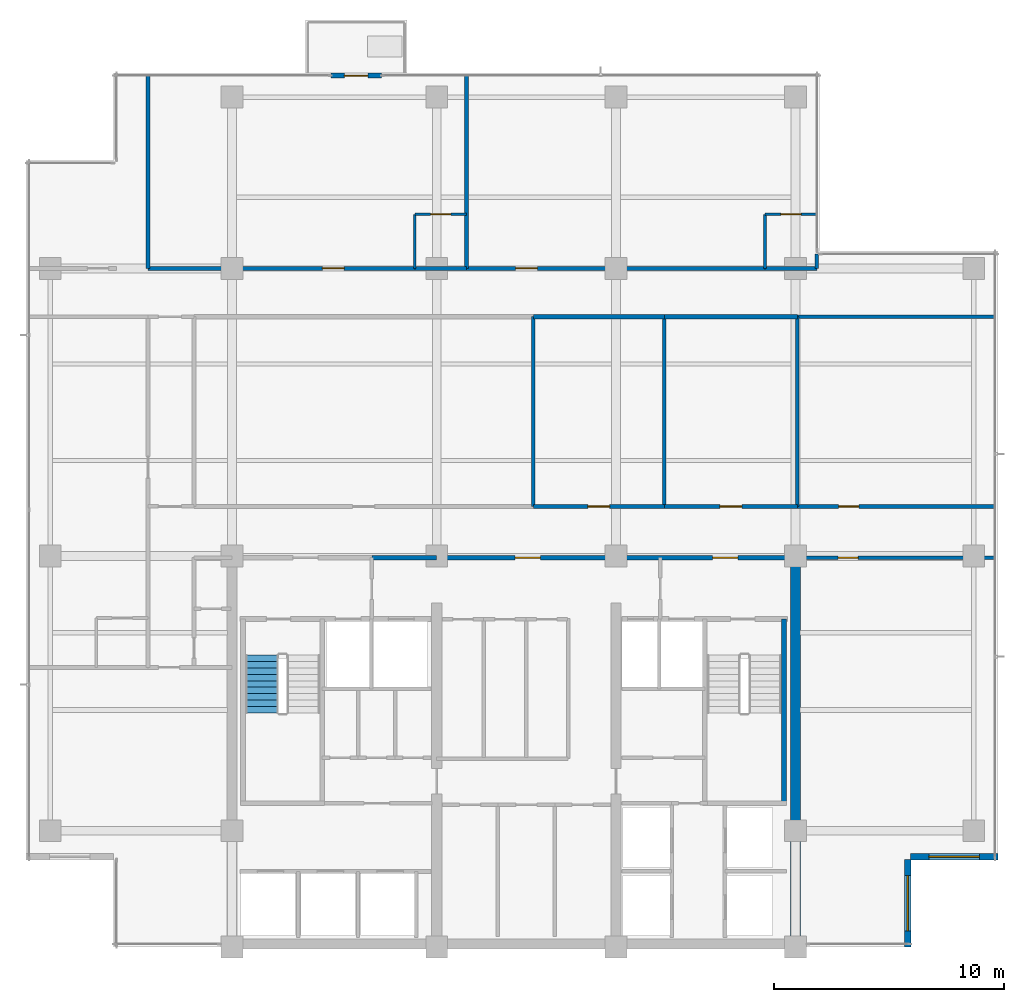
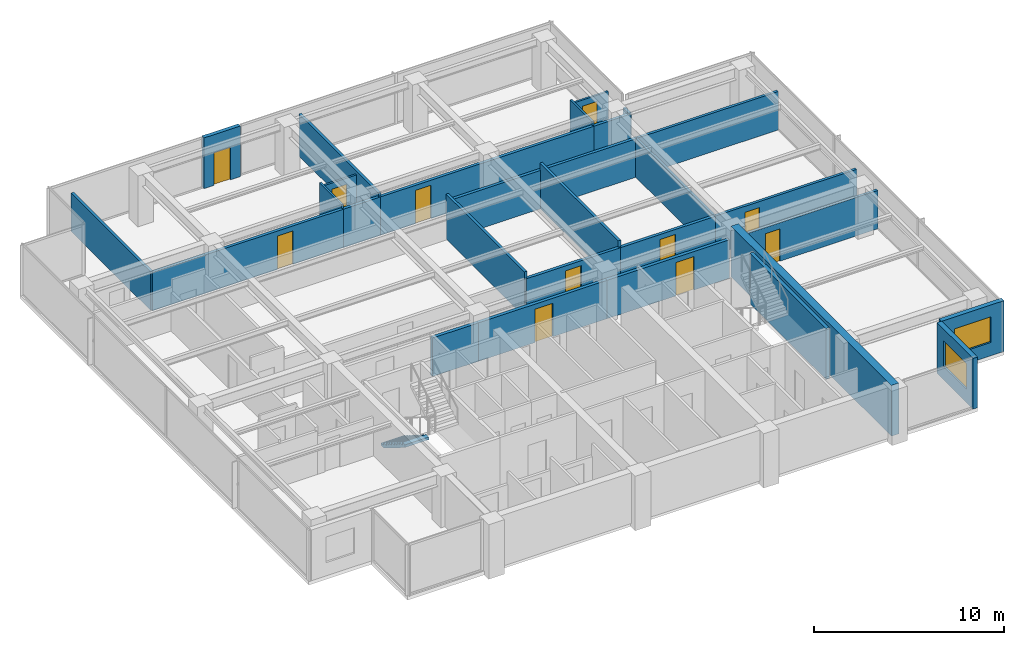
# One storey, part 9 of 14: 29 walls, 11 doors, 2 windows, 1 stair flight, 13 openings, 1 element without a shape of its own.
"""IFC4 building model written with IfcOpenShell, lengths in metres."""

from ifc_helpers import new_model, si_unit, direction, frame, frame_2d, origin, place, context, subcontext, project, spatial, polyline, rectangle, outline, extrude, material, layer, layer_set, type_object, element, fill, aggregate, save


model = new_model("IFC4")

# Units and contexts
model_context = context("Model", 3, precision=1e-05, world=origin(), true_north=direction((0.0, 1.0)))
body_context = subcontext(model_context, "Body", "Model", "MODEL_VIEW")
ifc_project = project(units=[si_unit("LENGTHUNIT", "METRE"), si_unit("AREAUNIT", "SQUARE_METRE"), si_unit("VOLUMEUNIT", "CUBIC_METRE"), si_unit("PLANEANGLEUNIT", "RADIAN"), si_unit("MASSUNIT", "GRAM", prefix="KILO")], contexts=[model_context])

# Site, building, storey
site_placement = place(None, origin())
site = spatial("IfcSite", under=ifc_project, at=site_placement, CompositionType="ELEMENT")
building_placement = place(site_placement, origin())
building = spatial("IfcBuilding", under=site, at=building_placement, Name="Qalmaran Belvedere Hotel", CompositionType="ELEMENT")
storey_placement = place(building_placement, frame((0.0, 0.0, 224.89990234375)))
storey = spatial("IfcBuildingStorey", under=building, at=storey_placement, Name="L57", CompositionType="ELEMENT", Elevation=224.89990234375)

# Wall, opening, door
ifc_material_1 = material(Name="Anodised Bronze Cladding")
ifc_layer_1 = layer(ifc_material_1, 0.22509765625, Name="Anodised Bronze Cladding")
ifc_layer_set_1 = layer_set([ifc_layer_1], Name="Anodised Bronze Cladding")
wall_type_1 = type_object("IfcWallType", Name="WL-BAL-PORT-225", PredefinedType="SOLIDWALL", material=ifc_layer_set_1)
wall_1_placement = place(storey_placement, frame((24.60009765625, 41.3798828125, 0.0), z_axis=(0.0, 0.0, 1.0), x_axis=(1.0, 0.0, 0.0)))
wall_1 = element("IfcWall", 1, at=wall_1_placement, inside=storey, type_object=wall_type_1, Name="L57 Tree Balcony Door Portal", PredefinedType="SOLIDWALL", context=body_context, shape_type="SweptSolid", body=[
    extrude(rectangle(XDim=2.199951171875, YDim=0.22509765625, at=frame_2d((1.10009765625, 0.0))), origin(), (0.0, 0.0, 1.0), 3.260009765625),
])
opening_1_placement = place(wall_1_placement, frame((0.590087890625, 0.0, 0.0)))
opening_1 = element("IfcOpeningElement", 2, at=opening_1_placement, cuts=wall_1, Name="Opening BL-102", PredefinedType="OPENING", context=body_context, shape_type="SweptSolid", body=[
    extrude(rectangle(XDim=1.02001953125, YDim=2.10009765625, at=frame_2d((0.510009765625, 1.050048828125))), frame((0.0, 0.12255859375, 0.0), z_axis=(0.0, -1.0, 0.0), x_axis=(1.0, 0.0, 0.0)), (0.0, 0.0, 1.0), 0.2451171875),
])
ifc_material_2 = material(Name="Anodised Bronze Aluminium", Category="aluminium")
door_type_1 = type_object("IfcDoorType", Name="DR-BAL-1020X2100", OperationType="NOTDEFINED", PredefinedType="DOOR", material=ifc_material_2)
door_1_placement = place(opening_1_placement, origin())
door_1 = element("IfcDoor", 3, at=door_1_placement, inside=storey, type_object=door_type_1, Name="L57 Planted Tree Balcony Door", OperationType="SINGLE_SWING_RIGHT", OverallHeight=2.10009765625, OverallWidth=1.02001953125, PredefinedType="DOOR", context=body_context, shape_type="SweptSolid", body=[
    extrude(rectangle(XDim=1.02001953125, YDim=2.10009765625, at=frame_2d((0.510009765625, 1.050048828125))), frame((0.0, 0.02490234375, 0.0), z_axis=(0.0, -1.0, 0.0), x_axis=(1.0, 0.0, 0.0)), (0.0, 0.0, 1.0), 0.050048828125),
])
fill(opening_1, door_1)

# Wall
ifc_material_3 = material(Name="Concrete C50/60", Category="concrete")
ifc_layer_2 = layer(ifc_material_3, 0.449951171875, Name="Concrete C50/60")
ifc_layer_set_2 = layer_set([ifc_layer_2], Name="Concrete C50/60")
wall_type_2 = type_object("IfcWallType", Name="WL-CORE-450-C50", PredefinedType="SHEAR", material=ifc_layer_set_2)
wall_2_placement = place(storey_placement, frame((44.800048828125, 3.5, 0.0), z_axis=(0.0, 0.0, 1.0), x_axis=(0.0, 1.0, 0.0)))
element("IfcWall", 4, at=wall_2_placement, inside=storey, type_object=wall_type_2, Name="L57 East Core Shear Wall", PredefinedType="SHEAR", context=body_context, shape_type="SweptSolid", body=[
    extrude(rectangle(XDim=16.89990234375, YDim=0.449951171875, at=frame_2d((8.449951171875, 0.0))), origin(), (0.0, 0.0, 1.0), 3.260009765625),
])

# Wall, opening, window
ifc_layer_3 = layer(ifc_material_1, 0.280029296875, Name="Anodised Bronze Cladding")
ifc_layer_set_3 = layer_set([ifc_layer_3], Name="Anodised Bronze Cladding")
wall_type_3 = type_object("IfcWallType", Name="WL-EXT-BRNZ-280", PredefinedType="SOLIDWALL", material=ifc_layer_set_3)
wall_3_placement = place(storey_placement, frame((49.679931640625, 3.5, 0.0), z_axis=(0.0, 0.0, 1.0), x_axis=(0.0, 1.0, 0.0)))
wall_3 = element("IfcWall", 5, at=wall_3_placement, inside=storey, type_object=wall_type_3, Name="L57 Corner Notch Wall 1", PredefinedType="SOLIDWALL", context=body_context, shape_type="SweptSolid", body=[
    extrude(rectangle(XDim=3.800048828125, YDim=0.280029296875, at=frame_2d((1.89990234375, 0.0))), origin(), (0.0, 0.0, 1.0), 3.260009765625),
])
opening_2_placement = place(wall_3_placement, frame((0.699951171875, 0.0, 0.85009765625)))
opening_2 = element("IfcOpeningElement", 6, at=opening_2_placement, cuts=wall_3, Name="Opening W-N24", PredefinedType="OPENING", context=body_context, shape_type="SweptSolid", body=[
    extrude(rectangle(XDim=2.39990234375, YDim=1.64990234375, at=frame_2d((1.199951171875, 0.824951171875))), frame((0.0, 0.14990234375, 0.0), z_axis=(0.0, -1.0, 0.0), x_axis=(1.0, 0.0, 0.0)), (0.0, 0.0, 1.0), 0.300048828125),
])
ifc_material_4 = material(Name="Solar-Control Double Glazing", Category="glass")
window_type_1 = type_object("IfcWindowType", Name="WN-NTC-2400X1650", PartitioningType="SINGLE_PANEL", PredefinedType="WINDOW", material=ifc_material_4)
window_1_placement = place(opening_2_placement, origin())
window_1 = element("IfcWindow", 7, at=window_1_placement, inside=storey, type_object=window_type_1, Name="L57 Corner Notch Window 1", OverallHeight=1.64990234375, OverallWidth=2.39990234375, PartitioningType="SINGLE_PANEL", PredefinedType="WINDOW", context=body_context, shape_type="SweptSolid", body=[
    extrude(rectangle(XDim=2.39990234375, YDim=1.64990234375, at=frame_2d((1.199951171875, 0.824951171875))), frame((0.0, 0.030029296875, 0.0), z_axis=(0.0, -1.0, 0.0), x_axis=(1.0, 0.0, 0.0)), (0.0, 0.0, 1.0), 0.06005859375),
])
fill(opening_2, window_1)

wall_4_placement = place(storey_placement, frame((49.800048828125, 7.419921875, 0.0), z_axis=(0.0, 0.0, 1.0), x_axis=(1.0, 0.0, 0.0)))
wall_4 = element("IfcWall", 8, at=wall_4_placement, inside=storey, type_object=wall_type_3, Name="L57 Corner Notch Wall 2", PredefinedType="SOLIDWALL", context=body_context, shape_type="SweptSolid", body=[
    extrude(rectangle(XDim=3.800048828125, YDim=0.280029296875, at=frame_2d((1.89990234375, 0.0))), origin(), (0.0, 0.0, 1.0), 3.260009765625),
])
opening_3_placement = place(wall_4_placement, frame((0.800048828125, 0.0, 0.85009765625)))
opening_3 = element("IfcOpeningElement", 9, at=opening_3_placement, cuts=wall_4, Name="Opening W-N22", PredefinedType="OPENING", context=body_context, shape_type="SweptSolid", body=[
    extrude(rectangle(XDim=2.199951171875, YDim=1.64990234375, at=frame_2d((1.10009765625, 0.824951171875))), frame((0.0, 0.14990234375, 0.0), z_axis=(0.0, -1.0, 0.0), x_axis=(1.0, 0.0, 0.0)), (0.0, 0.0, 1.0), 0.300048828125),
])
window_type_2 = type_object("IfcWindowType", Name="WN-NTC-2200X1650", PartitioningType="SINGLE_PANEL", PredefinedType="WINDOW", material=ifc_material_4)
window_2_placement = place(opening_3_placement, origin())
window_2 = element("IfcWindow", 10, at=window_2_placement, inside=storey, type_object=window_type_2, Name="L57 Corner Notch Window 2", OverallHeight=1.64990234375, OverallWidth=2.199951171875, PartitioningType="SINGLE_PANEL", PredefinedType="WINDOW", context=body_context, shape_type="SweptSolid", body=[
    extrude(rectangle(XDim=2.199951171875, YDim=1.64990234375, at=frame_2d((1.10009765625, 0.824951171875))), frame((0.0, 0.030029296875, 0.0), z_axis=(0.0, -1.0, 0.0), x_axis=(1.0, 0.0, 0.0)), (0.0, 0.0, 1.0), 0.06005859375),
])
fill(opening_3, window_2)

# Wall, opening, door
ifc_material_5 = material(Name="Moisture-Resistant Gypsum")
ifc_layer_4 = layer(ifc_material_5, 0.1201171875, Name="Moisture-Resistant Gypsum")
ifc_layer_set_4 = layer_set([ifc_layer_4], Name="Moisture-Resistant Gypsum")
wall_type_4 = type_object("IfcWallType", Name="WL-INT-120-BATH", PredefinedType="PARTITIONING", material=ifc_layer_set_4)
wall_5_placement = place(storey_placement, frame((28.25, 35.35009765625, 0.0), z_axis=(0.0, 0.0, 1.0), x_axis=(1.0, 0.0, 0.0)))
wall_5 = element("IfcWall", 11, at=wall_5_placement, inside=storey, type_object=wall_type_4, Name="L57 Partition WL-L57-NBN00", PredefinedType="PARTITIONING", context=body_context, shape_type="SweptSolid", body=[
    extrude(rectangle(XDim=2.25, YDim=0.1201171875, at=frame_2d((1.125, 0.0))), origin(), (0.0, 0.0, 1.0), 2.47216796875),
])
opening_4_placement = place(wall_5_placement, frame((1.56494140625, 0.0, 0.0), z_axis=(0.0, 0.0, 1.0), x_axis=(-1.0, 0.0, 0.0)))
opening_4 = element("IfcOpeningElement", 12, at=opening_4_placement, cuts=wall_5, Name="Opening D-BATH", PredefinedType="OPENING", context=body_context, shape_type="SweptSolid", body=[
    extrude(rectangle(XDim=0.8798828125, YDim=2.080078125, at=frame_2d((0.43994140625, 1.0400390625))), frame((0.0, 0.070068359375, 0.0), z_axis=(0.0, -1.0, 0.0), x_axis=(1.0, 0.0, 0.0)), (0.0, 0.0, 1.0), 0.14013671875),
])
ifc_material_6 = material(Name="Engineered Oak Veneer")
door_type_2 = type_object("IfcDoorType", Name="DR-INT-BATH-880X2080", OperationType="NOTDEFINED", PredefinedType="DOOR", material=ifc_material_6)
door_2_placement = place(opening_4_placement, origin())
door_2 = element("IfcDoor", 13, at=door_2_placement, inside=storey, type_object=door_type_2, Name="L57 Ensuite Bathroom Door N01", OperationType="SINGLE_SWING_LEFT", OverallHeight=2.080078125, OverallWidth=0.8798828125, PredefinedType="DOOR", context=body_context, shape_type="SweptSolid", body=[
    extrude(rectangle(XDim=0.8798828125, YDim=2.080078125, at=frame_2d((0.43994140625, 1.0400390625))), frame((0.0, 0.02490234375, 0.0), z_axis=(0.0, -1.0, 0.0), x_axis=(1.0, 0.0, 0.0)), (0.0, 0.0, 1.0), 0.050048828125),
])
fill(opening_4, door_2)

# Wall
wall_6_placement = place(storey_placement, frame((28.25, 33.0, 0.0), z_axis=(0.0, 0.0, 1.0), x_axis=(0.0, 1.0, 0.0)))
element("IfcWall", 14, at=wall_6_placement, inside=storey, type_object=wall_type_4, Name="L57 Partition WL-L57-NBS00", PredefinedType="PARTITIONING", context=body_context, shape_type="SweptSolid", body=[
    extrude(rectangle(XDim=2.35009765625, YDim=0.1201171875, at=frame_2d((1.175048828125, 0.0))), origin(), (0.0, 0.0, 1.0), 2.7060546875),
])

# Wall, opening, door
wall_7_placement = place(storey_placement, frame((43.47998046875, 35.35009765625, 0.0), z_axis=(0.0, 0.0, 1.0), x_axis=(1.0, 0.0, 0.0)))
wall_7 = element("IfcWall", 15, at=wall_7_placement, inside=storey, type_object=wall_type_4, Name="L57 Partition WL-L57-NBN01", PredefinedType="PARTITIONING", context=body_context, shape_type="SweptSolid", body=[
    extrude(rectangle(XDim=2.25, YDim=0.1201171875, at=frame_2d((1.125, 0.0))), origin(), (0.0, 0.0, 1.0), 2.47216796875),
])
opening_5_placement = place(wall_7_placement, frame((1.56494140625, 0.0, 0.0), z_axis=(0.0, 0.0, 1.0), x_axis=(-1.0, 0.0, 0.0)))
opening_5 = element("IfcOpeningElement", 16, at=opening_5_placement, cuts=wall_7, Name="Opening D-BATH", PredefinedType="OPENING", context=body_context, shape_type="SweptSolid", body=[
    extrude(rectangle(XDim=0.8798828125, YDim=2.080078125, at=frame_2d((0.43994140625, 1.0400390625))), frame((0.0, 0.070068359375, 0.0), z_axis=(0.0, -1.0, 0.0), x_axis=(1.0, 0.0, 0.0)), (0.0, 0.0, 1.0), 0.14013671875),
])
door_3_placement = place(opening_5_placement, origin())
door_3 = element("IfcDoor", 17, at=door_3_placement, inside=storey, type_object=door_type_2, Name="L57 Ensuite Bathroom Door N02", OperationType="SINGLE_SWING_LEFT", OverallHeight=2.080078125, OverallWidth=0.8798828125, PredefinedType="DOOR", context=body_context, shape_type="SweptSolid", body=[
    extrude(rectangle(XDim=0.8798828125, YDim=2.080078125, at=frame_2d((0.43994140625, 1.0400390625))), frame((0.0, 0.02490234375, 0.0), z_axis=(0.0, -1.0, 0.0), x_axis=(1.0, 0.0, 0.0)), (0.0, 0.0, 1.0), 0.050048828125),
])
fill(opening_5, door_3)

# Wall
wall_8_placement = place(storey_placement, frame((43.47998046875, 33.0, 0.0), z_axis=(0.0, 0.0, 1.0), x_axis=(0.0, 1.0, 0.0)))
element("IfcWall", 18, at=wall_8_placement, inside=storey, type_object=wall_type_4, Name="L57 Partition WL-L57-NBS01", PredefinedType="PARTITIONING", context=body_context, shape_type="SweptSolid", body=[
    extrude(rectangle(XDim=2.35009765625, YDim=0.1201171875, at=frame_2d((1.175048828125, 0.0))), origin(), (0.0, 0.0, 1.0), 2.7060546875),
])

# Wall, opening, door
ifc_material_7 = material(Name="Gypsum Stud Partition")
ifc_layer_5 = layer(ifc_material_7, 0.159912109375, Name="Gypsum Stud Partition")
ifc_layer_set_5 = layer_set([ifc_layer_5], Name="Gypsum Stud Partition")
wall_type_5 = type_object("IfcWallType", Name="WL-INT-160-EI60", PredefinedType="PARTITIONING", material=ifc_layer_set_5)
wall_9_placement = place(storey_placement, frame((44.800048828125, 20.419921875, 0.0), z_axis=(0.0, 0.0, 1.0), x_axis=(1.0, 0.0, 0.0)))
wall_9 = element("IfcWall", 19, at=wall_9_placement, inside=storey, type_object=wall_type_5, Name="L57 Partition WL-L57-ECE1S", PredefinedType="PARTITIONING", context=body_context, shape_type="SweptSolid", body=[
    extrude(rectangle(XDim=8.679931640625, YDim=0.159912109375, at=frame_2d((4.33984375, 0.0))), origin(), (0.0, 0.0, 1.0), 2.47216796875),
])
opening_6_placement = place(wall_9_placement, frame((2.72998046875, 0.0, 0.0), z_axis=(0.0, 0.0, 1.0), x_axis=(-1.0, 0.0, 0.0)))
opening_6 = element("IfcOpeningElement", 20, at=opening_6_placement, cuts=wall_9, Name="Opening FD60B", PredefinedType="OPENING", context=body_context, shape_type="SweptSolid", body=[
    extrude(rectangle(XDim=0.8798828125, YDim=2.080078125, at=frame_2d((0.43994140625, 1.0400390625))), frame((0.0, 0.08984375, 0.0), z_axis=(0.0, -1.0, 0.0), x_axis=(1.0, 0.0, 0.0)), (0.0, 0.0, 1.0), 0.179931640625),
])
ifc_material_8 = material(Name="Steel S355JR", Category="steel")
door_type_3 = type_object("IfcDoorType", Name="DR-FD60B-880X2080", OperationType="NOTDEFINED", PredefinedType="DOOR", material=ifc_material_8)
door_4_placement = place(opening_6_placement, origin())
door_4 = element("IfcDoor", 21, at=door_4_placement, inside=storey, type_object=door_type_3, Name="L57 East Library Door", OperationType="SINGLE_SWING_RIGHT", OverallHeight=2.080078125, OverallWidth=0.8798828125, PredefinedType="DOOR", context=body_context, shape_type="SweptSolid", body=[
    extrude(rectangle(XDim=0.8798828125, YDim=2.080078125, at=frame_2d((0.43994140625, 1.0400390625))), frame((0.0, 0.02490234375, 0.0), z_axis=(0.0, -1.0, 0.0), x_axis=(1.0, 0.0, 0.0)), (0.0, 0.0, 1.0), 0.050048828125),
])
fill(opening_6, door_4)

wall_10_placement = place(storey_placement, frame((44.8798828125, 22.64990234375, 0.0), z_axis=(0.0, 0.0, 1.0), x_axis=(1.0, 0.0, 0.0)))
wall_10 = element("IfcWall", 22, at=wall_10_placement, inside=storey, type_object=wall_type_5, Name="L57 Partition WL-L57-ECE2N", PredefinedType="PARTITIONING", context=body_context, shape_type="SweptSolid", body=[
    extrude(rectangle(XDim=8.60009765625, YDim=0.159912109375, at=frame_2d((4.300048828125, 0.0))), origin(), (0.0, 0.0, 1.0), 2.47216796875),
])
opening_7_placement = place(wall_10_placement, frame((1.800048828125, 0.0, 0.0)))
opening_7 = element("IfcOpeningElement", 23, at=opening_7_placement, cuts=wall_10, Name="Opening FD60B", PredefinedType="OPENING", context=body_context, shape_type="SweptSolid", body=[
    extrude(rectangle(XDim=0.8798828125, YDim=2.080078125, at=frame_2d((0.43994140625, 1.0400390625))), frame((0.0, 0.08984375, 0.0), z_axis=(0.0, -1.0, 0.0), x_axis=(1.0, 0.0, 0.0)), (0.0, 0.0, 1.0), 0.179931640625),
])
door_5_placement = place(opening_7_placement, origin())
door_5 = element("IfcDoor", 24, at=door_5_placement, inside=storey, type_object=door_type_3, Name="L57 East Fitness Door", OperationType="SINGLE_SWING_LEFT", OverallHeight=2.080078125, OverallWidth=0.8798828125, PredefinedType="DOOR", context=body_context, shape_type="SweptSolid", body=[
    extrude(rectangle(XDim=0.8798828125, YDim=2.080078125, at=frame_2d((0.43994140625, 1.0400390625))), frame((0.0, 0.02490234375, 0.0), z_axis=(0.0, -1.0, 0.0), x_axis=(1.0, 0.0, 0.0)), (0.0, 0.0, 1.0), 0.050048828125),
])
fill(opening_7, door_5)

# Walls
wall_11_placement = place(storey_placement, frame((44.8798828125, 30.89990234375, 0.0), z_axis=(0.0, 0.0, 1.0), x_axis=(1.0, 0.0, 0.0)))
element("IfcWall", 25, at=wall_11_placement, inside=storey, type_object=wall_type_5, Name="L57 Partition WL-L57-ECEN", PredefinedType="PARTITIONING", context=body_context, shape_type="SweptSolid", body=[
    extrude(rectangle(XDim=8.60009765625, YDim=0.159912109375, at=frame_2d((4.300048828125, 0.0))), origin(), (0.0, 0.0, 1.0), 2.47216796875),
])
for number, where, z_axis, x_axis, name in (
    (26, (33.39990234375, 22.64990234375, 0.0), (0.0, 0.0, 1.0), (0.0, 1.0, 0.0), "L57 Partition WL-L57-MIDVR1"),
    (27, (39.10009765625, 22.64990234375, 0.0), (0.0, 0.0, 1.0), (0.0, 1.0, 0.0), "L57 Partition WL-L57-MIDVR2"),
):
    element("IfcWall", number, at=place(storey_placement, frame(where, z_axis=z_axis, x_axis=x_axis)), inside=storey, type_object=wall_type_5, Name=name, PredefinedType="PARTITIONING", context=body_context, shape_type="SweptSolid", body=[
        extrude(rectangle(XDim=8.25, YDim=0.159912109375, at=frame_2d((4.125, 0.0))), origin(), (0.0, 0.0, 1.0), 2.88720703125),
    ])
wall_12_placement = place(storey_placement, frame((44.8798828125, 22.64990234375, 0.0), z_axis=(0.0, 0.0, 1.0), x_axis=(0.0, 1.0, 0.0)))
element("IfcWall", 28, at=wall_12_placement, inside=storey, type_object=wall_type_5, Name="L57 Partition WL-L57-MIDVR3", PredefinedType="PARTITIONING", context=body_context, shape_type="SweptSolid", body=[
    extrude(rectangle(XDim=8.25, YDim=0.159912109375, at=frame_2d((4.125, 0.0))), origin(), (0.0, 0.0, 1.0), 2.47216796875),
])
wall_13_placement = place(storey_placement, frame((16.64990234375, 33.0, 0.0), z_axis=(0.0, 0.0, 1.0), x_axis=(0.0, 1.0, 0.0)))
element("IfcWall", 29, at=wall_13_placement, inside=storey, type_object=wall_type_5, Name="L57 Partition WL-L57-NUL", PredefinedType="PARTITIONING", context=body_context, shape_type="SweptSolid", body=[
    extrude(rectangle(XDim=8.3798828125, YDim=0.159912109375, at=frame_2d((4.18994140625, 0.0))), origin(), (0.0, 0.0, 1.0), 2.47216796875),
])
wall_14_placement = place(storey_placement, frame((30.5, 33.0, 0.0), z_axis=(0.0, 0.0, 1.0), x_axis=(0.0, 1.0, 0.0)))
element("IfcWall", 30, at=wall_14_placement, inside=storey, type_object=wall_type_5, Name="L57 Partition WL-L57-NUR00", PredefinedType="PARTITIONING", context=body_context, shape_type="SweptSolid", body=[
    extrude(rectangle(XDim=8.3798828125, YDim=0.159912109375, at=frame_2d((4.18994140625, 0.0))), origin(), (0.0, 0.0, 1.0), 2.7060546875),
])
wall_15_placement = place(storey_placement, frame((45.72998046875, 33.0, 0.0), z_axis=(0.0, 0.0, 1.0), x_axis=(0.0, 1.0, 0.0)))
element("IfcWall", 31, at=wall_15_placement, inside=storey, type_object=wall_type_5, Name="L57 Partition WL-L57-NUR01", PredefinedType="PARTITIONING", context=body_context, shape_type="SweptSolid", body=[
    extrude(rectangle(XDim=0.6298828125, YDim=0.159912109375, at=frame_2d((0.31494140625, 0.0))), origin(), (0.0, 0.0, 1.0), 2.47216796875),
])

# Wall, opening, door
ifc_layer_6 = layer(ifc_material_7, 0.179931640625, Name="Gypsum Stud Partition")
ifc_layer_set_6 = layer_set([ifc_layer_6], Name="Gypsum Stud Partition")
wall_type_6 = type_object("IfcWallType", Name="WL-INT-180-EI60", PredefinedType="PARTITIONING", material=ifc_layer_set_6)
wall_16_placement = place(storey_placement, frame((33.39990234375, 22.64990234375, 0.0), z_axis=(0.0, 0.0, 1.0), x_axis=(1.0, 0.0, 0.0)))
wall_16 = element("IfcWall", 32, at=wall_16_placement, inside=storey, type_object=wall_type_6, Name="L57 Partition WL-L57-MIDD2", PredefinedType="PARTITIONING", context=body_context, shape_type="SweptSolid", body=[
    extrude(rectangle(XDim=5.7001953125, YDim=0.179931640625, at=frame_2d((2.85009765625, 0.0))), origin(), (0.0, 0.0, 1.0), 2.47216796875),
])
opening_8_placement = place(wall_16_placement, frame((2.375, 0.0, 0.0)))
opening_8 = element("IfcOpeningElement", 33, at=opening_8_placement, cuts=wall_16, Name="Opening FD60", PredefinedType="OPENING", context=body_context, shape_type="SweptSolid", body=[
    extrude(rectangle(XDim=0.949951171875, YDim=2.14990234375, at=frame_2d((0.47509765625, 1.074951171875))), frame((0.0, 0.10009765625, 0.0), z_axis=(0.0, -1.0, 0.0), x_axis=(1.0, 0.0, 0.0)), (0.0, 0.0, 1.0), 0.199951171875),
])
door_type_4 = type_object("IfcDoorType", Name="DR-FD60-950X2150", OperationType="NOTDEFINED", PredefinedType="DOOR", material=ifc_material_6)
door_6_placement = place(opening_8_placement, origin())
door_6 = element("IfcDoor", 34, at=door_6_placement, inside=storey, type_object=door_type_4, Name="L57 Drawing Lounge Door", OperationType="SINGLE_SWING_LEFT", OverallHeight=2.14990234375, OverallWidth=0.949951171875, PredefinedType="DOOR", context=body_context, shape_type="SweptSolid", body=[
    extrude(rectangle(XDim=0.949951171875, YDim=2.14990234375, at=frame_2d((0.47509765625, 1.074951171875))), frame((0.0, 0.02490234375, 0.0), z_axis=(0.0, -1.0, 0.0), x_axis=(1.0, 0.0, 0.0)), (0.0, 0.0, 1.0), 0.050048828125),
])
fill(opening_8, door_6)

# Wall
wall_17_placement = place(storey_placement, frame((33.39990234375, 30.89990234375, 0.0), z_axis=(0.0, 0.0, 1.0), x_axis=(1.0, 0.0, 0.0)))
element("IfcWall", 35, at=wall_17_placement, inside=storey, type_object=wall_type_6, Name="L57 Partition WL-L57-MIDO2", PredefinedType="PARTITIONING", context=body_context, shape_type="SweptSolid", body=[
    extrude(rectangle(XDim=5.7001953125, YDim=0.179931640625, at=frame_2d((2.85009765625, 0.0))), origin(), (0.0, 0.0, 1.0), 2.47216796875),
])

# Wall, opening, door
wall_18_placement = place(storey_placement, frame((39.10009765625, 22.64990234375, 0.0), z_axis=(0.0, 0.0, 1.0), x_axis=(1.0, 0.0, 0.0)))
wall_18 = element("IfcWall", 36, at=wall_18_placement, inside=storey, type_object=wall_type_6, Name="L57 Partition WL-L57-MIDD3", PredefinedType="PARTITIONING", context=body_context, shape_type="SweptSolid", body=[
    extrude(rectangle(XDim=5.77978515625, YDim=0.179931640625, at=frame_2d((2.889892578125, 0.0))), origin(), (0.0, 0.0, 1.0), 2.47216796875),
])
opening_9_placement = place(wall_18_placement, frame((2.4150390625, 0.0, 0.0)))
opening_9 = element("IfcOpeningElement", 37, at=opening_9_placement, cuts=wall_18, Name="Opening FD60", PredefinedType="OPENING", context=body_context, shape_type="SweptSolid", body=[
    extrude(rectangle(XDim=0.949951171875, YDim=2.14990234375, at=frame_2d((0.47509765625, 1.074951171875))), frame((0.0, 0.10009765625, 0.0), z_axis=(0.0, -1.0, 0.0), x_axis=(1.0, 0.0, 0.0)), (0.0, 0.0, 1.0), 0.199951171875),
])
door_7_placement = place(opening_9_placement, origin())
door_7 = element("IfcDoor", 38, at=door_7_placement, inside=storey, type_object=door_type_4, Name="L57 Sitting Lounge Door", OperationType="SINGLE_SWING_RIGHT", OverallHeight=2.14990234375, OverallWidth=0.949951171875, PredefinedType="DOOR", context=body_context, shape_type="SweptSolid", body=[
    extrude(rectangle(XDim=0.949951171875, YDim=2.14990234375, at=frame_2d((0.47509765625, 1.074951171875))), frame((0.0, 0.02490234375, 0.0), z_axis=(0.0, -1.0, 0.0), x_axis=(1.0, 0.0, 0.0)), (0.0, 0.0, 1.0), 0.050048828125),
])
fill(opening_9, door_7)

# Walls
wall_19_placement = place(storey_placement, frame((39.10009765625, 30.89990234375, 0.0), z_axis=(0.0, 0.0, 1.0), x_axis=(1.0, 0.0, 0.0)))
element("IfcWall", 39, at=wall_19_placement, inside=storey, type_object=wall_type_6, Name="L57 Partition WL-L57-MIDO3", PredefinedType="PARTITIONING", context=body_context, shape_type="SweptSolid", body=[
    extrude(rectangle(XDim=5.77978515625, YDim=0.179931640625, at=frame_2d((2.889892578125, 0.0))), origin(), (0.0, 0.0, 1.0), 2.47216796875),
])
wall_20_placement = place(storey_placement, frame((28.25, 33.0, 0.0), z_axis=(0.0, 0.0, 1.0), x_axis=(1.0, 0.0, 0.0)))
element("IfcWall", 40, at=wall_20_placement, inside=storey, type_object=wall_type_6, Name="L57 Partition WL-L57-NBC00", PredefinedType="PARTITIONING", context=body_context, shape_type="SweptSolid", body=[
    extrude(rectangle(XDim=2.25, YDim=0.179931640625, at=frame_2d((1.125, 0.0))), origin(), (0.0, 0.0, 1.0), 2.47216796875),
])

# Wall, opening, door
wall_21_placement = place(storey_placement, frame((16.64990234375, 33.0, 0.0), z_axis=(0.0, 0.0, 1.0), x_axis=(1.0, 0.0, 0.0)))
wall_21 = element("IfcWall", 41, at=wall_21_placement, inside=storey, type_object=wall_type_6, Name="L57 Partition WL-L57-NEC00", PredefinedType="PARTITIONING", context=body_context, shape_type="SweptSolid", body=[
    extrude(rectangle(XDim=11.60009765625, YDim=0.179931640625, at=frame_2d((5.800048828125, 0.0))), origin(), (0.0, 0.0, 1.0), 2.47216796875),
])
opening_10_placement = place(wall_21_placement, frame((7.580810546875, 0.0, 0.0)))
opening_10 = element("IfcOpeningElement", 42, at=opening_10_placement, cuts=wall_21, Name="Opening FD60", PredefinedType="OPENING", context=body_context, shape_type="SweptSolid", body=[
    extrude(rectangle(XDim=0.949951171875, YDim=2.14990234375, at=frame_2d((0.47509765625, 1.074951171875))), frame((0.0, 0.10009765625, 0.0), z_axis=(0.0, -1.0, 0.0), x_axis=(1.0, 0.0, 0.0)), (0.0, 0.0, 1.0), 0.199951171875),
])
door_8_placement = place(opening_10_placement, origin())
door_8 = element("IfcDoor", 43, at=door_8_placement, inside=storey, type_object=door_type_4, Name="L57 Guest Entrance Door N01", OperationType="SINGLE_SWING_RIGHT", OverallHeight=2.14990234375, OverallWidth=0.949951171875, PredefinedType="DOOR", context=body_context, shape_type="SweptSolid", body=[
    extrude(rectangle(XDim=0.949951171875, YDim=2.14990234375, at=frame_2d((0.47509765625, 1.074951171875))), frame((0.0, 0.02490234375, 0.0), z_axis=(0.0, -1.0, 0.0), x_axis=(1.0, 0.0, 0.0)), (0.0, 0.0, 1.0), 0.050048828125),
])
fill(opening_10, door_8)

# Wall
wall_22_placement = place(storey_placement, frame((43.47998046875, 33.0, 0.0), z_axis=(0.0, 0.0, 1.0), x_axis=(1.0, 0.0, 0.0)))
element("IfcWall", 44, at=wall_22_placement, inside=storey, type_object=wall_type_6, Name="L57 Partition WL-L57-NBC01", PredefinedType="PARTITIONING", context=body_context, shape_type="SweptSolid", body=[
    extrude(rectangle(XDim=2.25, YDim=0.179931640625, at=frame_2d((1.125, 0.0))), origin(), (0.0, 0.0, 1.0), 2.47216796875),
])

# Wall, opening, door
wall_23_placement = place(storey_placement, frame((30.5, 33.0, 0.0), z_axis=(0.0, 0.0, 1.0), x_axis=(1.0, 0.0, 0.0)))
wall_23 = element("IfcWall", 45, at=wall_23_placement, inside=storey, type_object=wall_type_6, Name="L57 Partition WL-L57-NEC01", PredefinedType="PARTITIONING", context=body_context, shape_type="SweptSolid", body=[
    extrude(rectangle(XDim=12.97998046875, YDim=0.179931640625, at=frame_2d((6.489990234375, 0.0))), origin(), (0.0, 0.0, 1.0), 2.47216796875),
])
opening_11_placement = place(wall_23_placement, frame((2.1318359375, 0.0, 0.0)))
opening_11 = element("IfcOpeningElement", 46, at=opening_11_placement, cuts=wall_23, Name="Opening FD60", PredefinedType="OPENING", context=body_context, shape_type="SweptSolid", body=[
    extrude(rectangle(XDim=0.949951171875, YDim=2.14990234375, at=frame_2d((0.47509765625, 1.074951171875))), frame((0.0, 0.10009765625, 0.0), z_axis=(0.0, -1.0, 0.0), x_axis=(1.0, 0.0, 0.0)), (0.0, 0.0, 1.0), 0.199951171875),
])
door_9_placement = place(opening_11_placement, origin())
door_9 = element("IfcDoor", 47, at=door_9_placement, inside=storey, type_object=door_type_4, Name="L57 Guest Entrance Door N02", OperationType="SINGLE_SWING_RIGHT", OverallHeight=2.14990234375, OverallWidth=0.949951171875, PredefinedType="DOOR", context=body_context, shape_type="SweptSolid", body=[
    extrude(rectangle(XDim=0.949951171875, YDim=2.14990234375, at=frame_2d((0.47509765625, 1.074951171875))), frame((0.0, 0.02490234375, 0.0), z_axis=(0.0, -1.0, 0.0), x_axis=(1.0, 0.0, 0.0)), (0.0, 0.0, 1.0), 0.050048828125),
])
fill(opening_11, door_9)

# Wall
ifc_material_9 = material(Name="Concrete C30/37 Blockwork", Category="masonry")
ifc_layer_7 = layer(ifc_material_9, 0.199951171875, Name="Concrete C30/37 Blockwork")
ifc_layer_set_7 = layer_set([ifc_layer_7], Name="Concrete C30/37 Blockwork")
wall_type_7 = type_object("IfcWallType", Name="WL-INT-200-EI120", PredefinedType="PARTITIONING", material=ifc_layer_set_7)
wall_24_placement = place(storey_placement, frame((26.3798828125, 20.419921875, 0.0), z_axis=(0.0, 0.0, 1.0), x_axis=(1.0, 0.0, 0.0)))
element("IfcWall", 48, at=wall_24_placement, inside=storey, type_object=wall_type_7, Name="L57 Partition WL-CN1B-L57", PredefinedType="PARTITIONING", context=body_context, shape_type="SweptSolid", body=[
    extrude(rectangle(XDim=2.820068359375, YDim=0.199951171875, at=frame_2d((1.41015625, 0.0))), origin(), (0.0, 0.0, 1.0), 2.47216796875),
])

# Wall, opening, door
wall_25_placement = place(storey_placement, frame((29.199951171875, 20.419921875, 0.0), z_axis=(0.0, 0.0, 1.0), x_axis=(1.0, 0.0, 0.0)))
wall_25 = element("IfcWall", 49, at=wall_25_placement, inside=storey, type_object=wall_type_7, Name="L57 Partition WL-CN2-L57", PredefinedType="PARTITIONING", context=body_context, shape_type="SweptSolid", body=[
    extrude(rectangle(XDim=7.800048828125, YDim=0.199951171875, at=frame_2d((3.89990234375, 0.0))), origin(), (0.0, 0.0, 1.0), 2.47216796875),
])
opening_12_placement = place(wall_25_placement, frame((3.4091796875, 0.0, 0.0)))
opening_12 = element("IfcOpeningElement", 50, at=opening_12_placement, cuts=wall_25, Name="Opening FD90", PredefinedType="OPENING", context=body_context, shape_type="SweptSolid", body=[
    extrude(rectangle(XDim=1.10009765625, YDim=2.14990234375, at=frame_2d((0.550048828125, 1.074951171875))), frame((0.0, 0.10986328125, 0.0), z_axis=(0.0, -1.0, 0.0), x_axis=(1.0, 0.0, 0.0)), (0.0, 0.0, 1.0), 0.219970703125),
])
door_type_5 = type_object("IfcDoorType", Name="DR-FD90-1100X2150", OperationType="NOTDEFINED", PredefinedType="DOOR", material=ifc_material_8)
door_10_placement = place(opening_12_placement, origin())
door_10 = element("IfcDoor", 51, at=door_10_placement, inside=storey, type_object=door_type_5, Name="L57 Central Lift Lobby Door", OperationType="SINGLE_SWING_RIGHT", OverallHeight=2.14990234375, OverallWidth=1.10009765625, PredefinedType="DOOR", context=body_context, shape_type="SweptSolid", body=[
    extrude(rectangle(XDim=1.10009765625, YDim=2.14990234375, at=frame_2d((0.550048828125, 1.074951171875))), frame((0.0, 0.02490234375, 0.0), z_axis=(0.0, -1.0, 0.0), x_axis=(1.0, 0.0, 0.0)), (0.0, 0.0, 1.0), 0.050048828125),
])
fill(opening_12, door_10)

wall_26_placement = place(storey_placement, frame((37.0, 20.419921875, 0.0), z_axis=(0.0, 0.0, 1.0), x_axis=(1.0, 0.0, 0.0)))
wall_26 = element("IfcWall", 52, at=wall_26_placement, inside=storey, type_object=wall_type_7, Name="L57 Partition WL-CN3-L57", PredefinedType="PARTITIONING", context=body_context, shape_type="SweptSolid", body=[
    extrude(rectangle(XDim=7.449951171875, YDim=0.199951171875, at=frame_2d((3.72509765625, 0.0))), origin(), (0.0, 0.0, 1.0), 2.47216796875),
])
opening_13_placement = place(wall_26_placement, frame((4.199951171875, 0.0, 0.0)))
opening_13 = element("IfcOpeningElement", 53, at=opening_13_placement, cuts=wall_26, Name="Opening FD90", PredefinedType="OPENING", context=body_context, shape_type="SweptSolid", body=[
    extrude(rectangle(XDim=1.10009765625, YDim=2.14990234375, at=frame_2d((0.550048828125, 1.074951171875))), frame((0.0, 0.10986328125, 0.0), z_axis=(0.0, -1.0, 0.0), x_axis=(1.0, 0.0, 0.0)), (0.0, 0.0, 1.0), 0.219970703125),
])
door_11_placement = place(opening_13_placement, origin())
door_11 = element("IfcDoor", 54, at=door_11_placement, inside=storey, type_object=door_type_5, Name="L57 FF2 Lobby Corridor Door", OperationType="SINGLE_SWING_LEFT", OverallHeight=2.14990234375, OverallWidth=1.10009765625, PredefinedType="DOOR", context=body_context, shape_type="SweptSolid", body=[
    extrude(rectangle(XDim=1.10009765625, YDim=2.14990234375, at=frame_2d((0.550048828125, 1.074951171875))), frame((0.0, 0.02490234375, 0.0), z_axis=(0.0, -1.0, 0.0), x_axis=(1.0, 0.0, 0.0)), (0.0, 0.0, 1.0), 0.050048828125),
])
fill(opening_13, door_11)

# Wall
ifc_layer_8 = layer(ifc_material_3, 0.2099609375, Name="Concrete C50/60")
ifc_layer_set_8 = layer_set([ifc_layer_8], Name="Concrete C50/60")
wall_type_8 = type_object("IfcWallType", Name="WL-STAIR-210-C50", PredefinedType="SHEAR", material=ifc_layer_set_8)
wall_27_placement = place(storey_placement, frame((44.304931640625, 9.7451171875, 0.0), z_axis=(0.0, 0.0, 1.0), x_axis=(0.0, 1.0, 0.0)))
element("IfcWall", 55, at=wall_27_placement, inside=storey, type_object=wall_type_8, Name="L57 Stair ST-2 East Bearing Wall", PredefinedType="SHEAR", context=body_context, shape_type="SweptSolid", body=[
    extrude(rectangle(XDim=8.009765625, YDim=0.2099609375, at=frame_2d((4.0048828125, 0.0))), origin(), (0.0, 0.0, 1.0), 3.260009765625),
])

# Stair, stair flight
ifc_material_10 = material(Name="Concrete C40/50", Category="concrete")
stair_type = type_object("IfcStairType", Name="STR-ST-1-1450-R1750", PredefinedType="HALF_TURN_STAIR", material=ifc_material_10)
stair_placement = place(storey_placement, origin())
stair = element("IfcStair", 56, at=stair_placement, inside=storey, type_object=stair_type, Name="L57 West Core Exit Stair ST-1", PredefinedType="HALF_TURN_STAIR")
ifc_layer_9 = layer(ifc_material_10, 0.14990234375, Name="Concrete C40/50")
ifc_layer_set_9 = layer_set([ifc_layer_9], Name="Concrete C40/50")
stair_flight_type = type_object("IfcStairFlightType", Name="STF-ST-1-1450-R1750", PredefinedType="STRAIGHT", material=ifc_layer_set_9)
stair_flight_placement = place(storey_placement, frame((21.60498046875, 16.18994140625, 0.0), z_axis=(0.0, 0.0, 1.0), x_axis=(0.0, -1.0, 0.0)))
stair_flight = element("IfcStairFlight", 57, at=stair_flight_placement, type_object=stair_flight_type, Name="ST-1 flight 1", NumberOfRisers=10, NumberOfTreads=9, PredefinedType="STRAIGHT", RiserHeight=0.175, TreadLength=0.28, context=body_context, shape_type="SweptSolid", body=[
    extrude(outline(polyline([(0.0, 0.0), (0.0, 0.175048828125), (0.280029296875, 0.175048828125), (0.280029296875, 0.35009765625), (0.56005859375, 0.35009765625), (0.56005859375, 0.52490234375), (0.840087890625, 0.52490234375), (0.840087890625, 0.699951171875), (1.1201171875, 0.699951171875), (1.1201171875, 0.875), (1.39990234375, 0.875), (1.39990234375, 1.050048828125), (1.679931640625, 1.050048828125), (1.679931640625, 1.22509765625), (1.9599609375, 1.22509765625), (1.9599609375, 1.39990234375), (2.239990234375, 1.39990234375), (2.239990234375, 1.574951171875), (2.52001953125, 1.574951171875), (2.52001953125, 1.75), (2.52001953125, 1.398193359375), (0.28271484375, 0.0), (0.0, 0.0)])), frame((0.0, 0.72509765625, 0.0), z_axis=(0.0, -1.0, 0.0), x_axis=(1.0, 0.0, 0.0)), (0.0, 0.0, 1.0), 1.449951171875),
])
aggregate(stair, [stair_flight])

save(model, "model.ifc")
